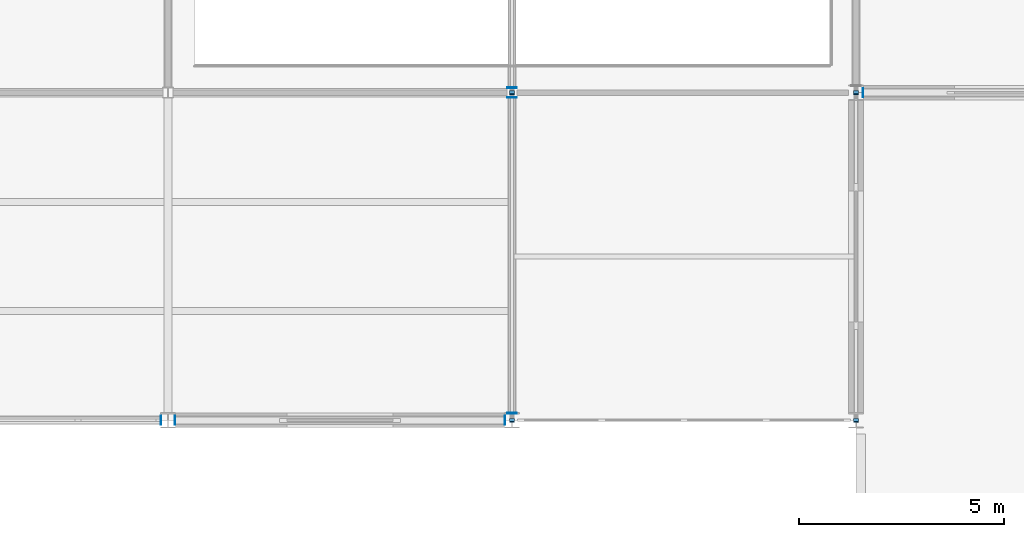
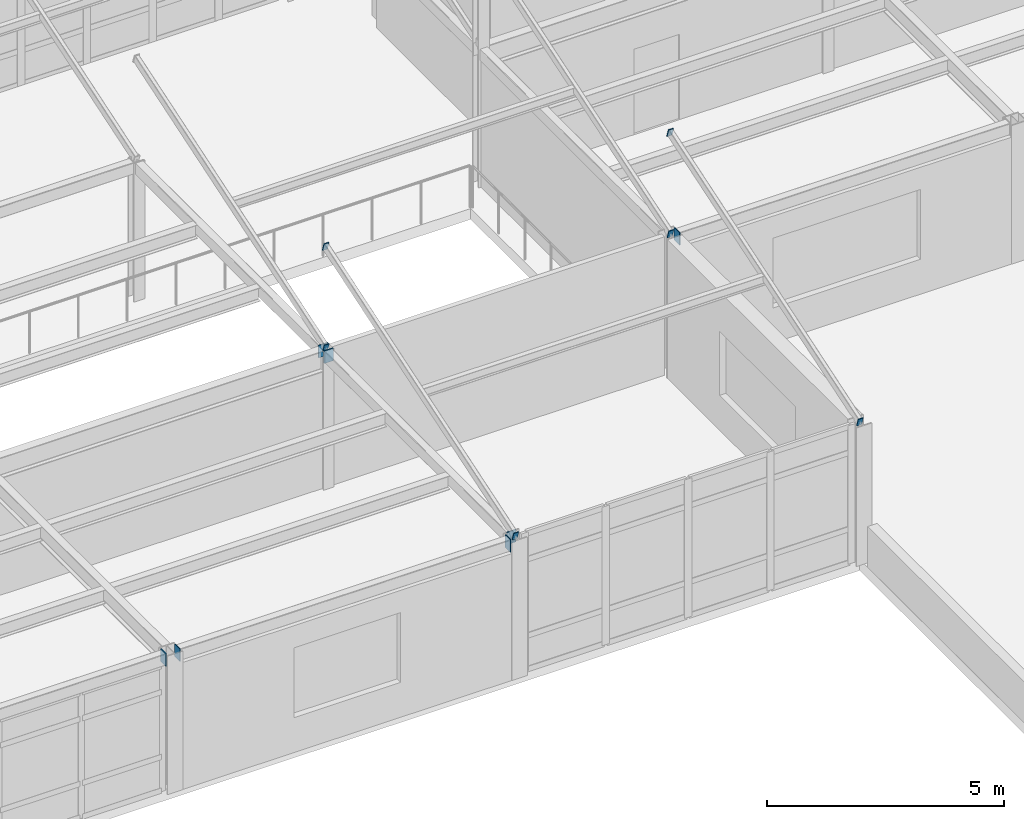
# One storey, part 60 of 96: 13 discrete accessories.
"""IFC4 building model written with IfcOpenShell, lengths in metres."""

from ifc_helpers import new_model, si_unit, direction, frame, origin, origin_2d, place, context, subcontext, project, spatial, rectangle, extrude, material, layer, layer_set, type_object, element, save


model = new_model("IFC4")

# Units and contexts
model_context = context("Model", 3, precision=1e-05, world=origin(), true_north=direction((0.0, 1.0)))
body_context = subcontext(model_context, "Body", "Model", "MODEL_VIEW")
ifc_project = project(units=[si_unit("LENGTHUNIT", "METRE"), si_unit("AREAUNIT", "SQUARE_METRE"), si_unit("VOLUMEUNIT", "CUBIC_METRE"), si_unit("PLANEANGLEUNIT", "RADIAN"), si_unit("MASSUNIT", "GRAM", prefix="KILO")], contexts=[model_context])

# Site, building, storey
site_placement = place(None, origin())
site = spatial("IfcSite", under=ifc_project, at=site_placement, CompositionType="ELEMENT")
building_placement = place(site_placement, origin())
building = spatial("IfcBuilding", under=site, at=building_placement, Name="Kranzveld Transit Interchange", CompositionType="ELEMENT")
storey_placement = place(building_placement, frame((0.0, 0.0, 9.52001953125)))
storey = spatial("IfcBuildingStorey", under=building, at=storey_placement, Name="L02", CompositionType="ELEMENT", Elevation=9.52001953125)

# Discrete accessories
ifc_material = material(Name="Steel S355JR", Category="steel")
ifc_layer = layer(ifc_material, 0.02001953125)
ifc_layer_set = layer_set([ifc_layer], Name="Steel S355JR")
discrete_accessory_type = type_object("IfcDiscreteAccessoryType", Name="Hollow Section End Cap Bracket 20 S355JR", PredefinedType="BRACKET", material=ifc_layer_set)
for number, where, z_axis, x_axis, name in (
    (1, (33.418701171875, 16.0, 3.419921875), (1.0, 0.0, 0.0), (0.0, 1.0, 0.0), "Hollow Section End Cap SP-RHS300-2"),
    (2, (33.78125, 16.0, 3.419921875), (-1.0, 0.0, 0.0), (0.0, -1.0, 0.0), "Hollow Section End Cap SP-RHS300-1"),
    (3, (41.818603515625, 16.0, 3.419921875), (1.0, 0.0, 0.0), (0.0, 1.0, 0.0), "Hollow Section End Cap SP-RHS300-2"),
    (4, (50.581298828125, 24.0, 3.419921875), (-1.0, 0.0, 0.0), (0.0, -1.0, 0.0), "Hollow Section End Cap SP-RHS300-1"),
    (5, (42.0, 16.181396484375, 3.419921875), (0.0, -1.0, 0.0), (1.0, 0.0, 0.0), "Hollow Section End Cap SP-RHS300-1"),
    (6, (42.0, 23.87255859375, 3.419921875), (0.0, 1.0, 0.0), (-1.0, 0.0, 0.0), "Hollow Section End Cap SP-RHS300-2"),
    (7, (42.0, 24.12744140625, 3.419921875), (0.0, -1.0, 0.0), (1.0, 0.0, 0.0), "Hollow Section End Cap SP-RHS300-1"),
):
    element("IfcDiscreteAccessory", number, at=place(storey_placement, frame(where, z_axis=z_axis, x_axis=x_axis)), inside=storey, type_object=discrete_accessory_type, Name=name, PredefinedType="BRACKET", context=body_context, shape_type="SweptSolid", body=[
        extrude(rectangle(XDim=0.22412109375, YDim=0.323974609375, at=origin_2d()), origin(), (0.0, 0.0, 1.0), 0.02001953125),
    ])
for number, where, z_axis, x_axis, name in (
    (8, (42.0, 16.00390625, 3.561279296875), (0.0, -0.948683298051, -0.316227766017), (1.0, 0.0, 0.0), "Hollow Section End Cap CH-RHS200-1"),
    (9, (42.0, 23.99609375, 6.15869140625), (0.0, 0.948683298051, 0.316227766017), (-1.0, 0.0, 0.0), "Hollow Section End Cap CH-RHS200-2"),
    (10, (50.39990234375, 16.00390625, 3.561279296875), (0.0, -0.948683298051, -0.316227766017), (1.0, 0.0, 0.0), "Hollow Section End Cap CH-RHS200-1"),
    (11, (50.39990234375, 23.99609375, 6.15869140625), (0.0, 0.948683298051, 0.316227766017), (-1.0, 0.0, 0.0), "Hollow Section End Cap CH-RHS200-2"),
    (12, (42.0, 24.00390625, 3.561279296875), (0.0, -0.948683298051, -0.316227766017), (1.0, 0.0, 0.0), "Hollow Section End Cap CH-RHS200-1"),
    (13, (50.39990234375, 24.00390625, 3.561279296875), (0.0, -0.948683298051, -0.316227766017), (1.0, 0.0, 0.0), "Hollow Section End Cap CH-RHS200-1"),
):
    element("IfcDiscreteAccessory", number, at=place(storey_placement, frame(where, z_axis=z_axis, x_axis=x_axis)), inside=storey, type_object=discrete_accessory_type, Name=name, PredefinedType="BRACKET", context=body_context, shape_type="SweptSolid", body=[
        extrude(rectangle(XDim=0.1240234375, YDim=0.22412109375, at=origin_2d()), origin(), (0.0, 0.0, 1.0), 0.02001953125),
    ])

save(model, "model.ifc")
